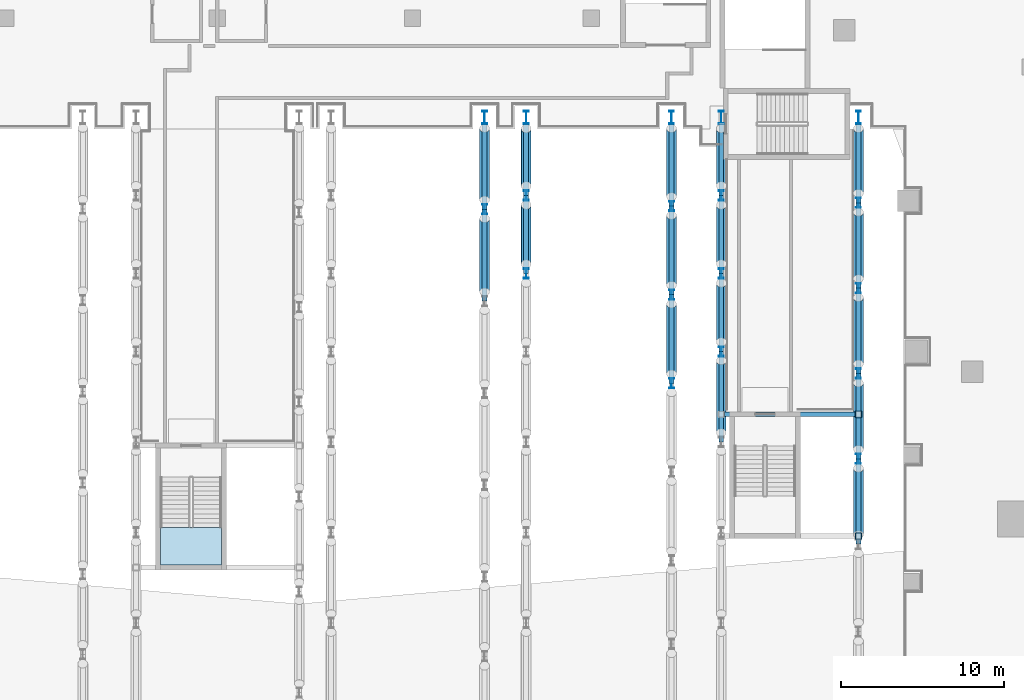
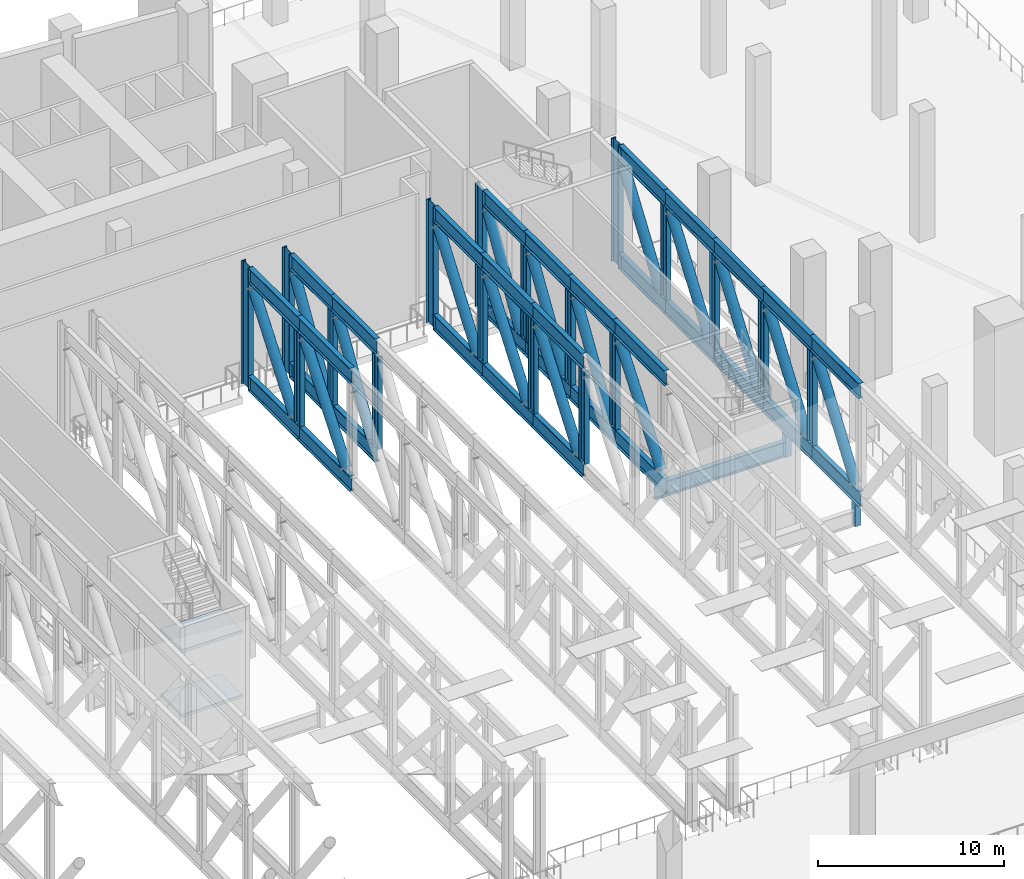
# One storey, part 6 of 33: 68 members, 2 slabs, 1 beam, 1 element without a shape of its own.
"""IFC4 building model written with IfcOpenShell, lengths in metres."""

from ifc_helpers import new_model, si_unit, direction, frame, origin, origin_2d, place, context, subcontext, project, spatial, polyline, hollow_rectangle, hollow_circle, i_section, outline, extrude, material, layer, layer_set, material_profile, profile_set, type_object, element, aggregate, save


model = new_model("IFC4")

# Units and contexts
model_context = context("Model", 3, precision=1e-05, world=origin(), true_north=direction((0.0, 1.0)))
body_context = subcontext(model_context, "Body", "Model", "MODEL_VIEW")
ifc_project = project(units=[si_unit("LENGTHUNIT", "METRE"), si_unit("AREAUNIT", "SQUARE_METRE"), si_unit("VOLUMEUNIT", "CUBIC_METRE"), si_unit("PLANEANGLEUNIT", "RADIAN"), si_unit("MASSUNIT", "GRAM", prefix="KILO")], contexts=[model_context])

# Site, building, storey
site_placement = place(None, origin())
site = spatial("IfcSite", under=ifc_project, at=site_placement, CompositionType="ELEMENT")
building_placement = place(site_placement, origin())
building = spatial("IfcBuilding", under=site, at=building_placement, Name="Wharfspan Tower", CompositionType="ELEMENT")
storey_placement = place(building_placement, frame((0.0, 0.0, 33.0)))
storey = spatial("IfcBuildingStorey", under=building, at=storey_placement, Name="L05", CompositionType="ELEMENT", Elevation=33.0)

# Beam
ifc_material_1 = material(Name="Steel S460M", Category="steel")
ifc_material_profile_1 = material_profile(ifc_material_1, i_section(OverallWidth=0.302002, OverallDepth=1.008057, WebThickness=0.020996, FlangeThickness=0.040039, FilletRadius=0.030029, at=origin_2d()))
ifc_profile_set_1 = profile_set([ifc_material_profile_1], Name="Steel S460M")
beam_type = type_object("IfcBeamType", Name="Transfer girder HE 1000 M", PredefinedType="BEAM", material=ifc_profile_set_1)
beam_placement = place(storey_placement, frame((72.199951, 7.64209, -0.954102), z_axis=(1.0, 0.0, 0.0), x_axis=(0.0, 1.0, 0.0)))
element("IfcBeam", 1, at=beam_placement, inside=storey, type_object=beam_type, Name="Transfer girder", PredefinedType="BEAM", context=body_context, shape_type="SweptSolid", body=[
    extrude(i_section(OverallWidth=0.302002, OverallDepth=1.008057, WebThickness=0.020996, FlangeThickness=0.040039, FilletRadius=0.030029, at=origin_2d()), origin(), (0.0, 0.0, 1.0), 8.041992),
])

# Members
ifc_material_2 = material(Name="Steel S460NH", Category="steel")
ifc_material_profile_2 = material_profile(ifc_material_2, hollow_rectangle(XDim=0.399902, YDim=0.399902, WallThickness=0.02002, InnerFilletRadius=0.02002, OuterFilletRadius=0.040039, at=origin_2d()))
ifc_profile_set_2 = profile_set([ifc_material_profile_2], Name="Steel S460NH")
member_type_1 = type_object("IfcMemberType", Name="Transfer hanger SHS 400x400x20", PredefinedType="POST", material=ifc_profile_set_2)
for number, where, z_axis, x_axis, name in (
    (2, (80.441895, 0.14209, -1.458008), (0.0, 0.0, 1.0), (1.0, 0.0, 0.0), "Transfer hanger"),
    (3, (80.441895, 7.64209, -1.458008), (0.0, 0.0, 1.0), (1.0, 0.0, 0.0), "Transfer hanger"),
):
    element("IfcMember", number, at=place(storey_placement, frame(where, z_axis=z_axis, x_axis=x_axis)), inside=storey, type_object=member_type_1, Name=name, PredefinedType="POST", context=body_context, shape_type="SweptSolid", body=[
        extrude(hollow_rectangle(XDim=0.399902, YDim=0.399902, WallThickness=0.02002, InnerFilletRadius=0.02002, OuterFilletRadius=0.040039, at=origin_2d()), origin(), (0.0, 0.0, 1.0), 1.458008),
    ])
ifc_material_profile_3 = material_profile(ifc_material_2, hollow_circle(Radius=0.304932, WallThickness=0.030029, at=origin_2d()))
ifc_profile_set_3 = profile_set([ifc_material_profile_3], Name="Steel S460NH")
member_type_2 = type_object("IfcMemberType", Name="Truss member CHS 610x30", PredefinedType="BRACE", material=ifc_profile_set_3)
member_1_placement = place(storey_placement, frame((57.441895, 19.671875, 6.910156), z_axis=(0.0, -0.618256, -0.785977), x_axis=(1.0, 0.0, 0.0)))
element("IfcMember", 4, at=member_1_placement, inside=storey, type_object=member_type_2, Name="Truss diagonal T8", PredefinedType="BRACE", context=body_context, shape_type="SweptSolid", body=[
    extrude(hollow_circle(Radius=0.304932, WallThickness=0.030029, at=origin_2d()), origin(), (0.0, 0.0, 1.0), 7.278076),
])
member_2_placement = place(storey_placement, frame((57.441895, 25.225098, 6.912842), z_axis=(0.0, -0.609248, -0.79298), x_axis=(1.0, 0.0, 0.0)))
element("IfcMember", 5, at=member_2_placement, inside=storey, type_object=member_type_2, Name="Truss diagonal T8", PredefinedType="BRACE", context=body_context, shape_type="SweptSolid", body=[
    extrude(hollow_circle(Radius=0.304932, WallThickness=0.030029, at=origin_2d()), origin(), (0.0, 0.0, 1.0), 7.220703),
])
member_3_placement = place(storey_placement, frame((60.0, 20.507568, 6.935791), z_axis=(0.0, -0.530824, -0.847482), x_axis=(1.0, 0.0, 0.0)))
element("IfcMember", 6, at=member_3_placement, inside=storey, type_object=member_type_2, Name="Truss diagonal T9", PredefinedType="BRACE", context=body_context, shape_type="SweptSolid", body=[
    extrude(hollow_circle(Radius=0.304932, WallThickness=0.030029, at=origin_2d()), origin(), (0.0, 0.0, 1.0), 6.810059),
])
member_4_placement = place(storey_placement, frame((60.0, 25.208496, 6.938965), z_axis=(0.0, -0.519631, -0.854391), x_axis=(1.0, 0.0, 0.0)))
element("IfcMember", 7, at=member_4_placement, inside=storey, type_object=member_type_2, Name="Truss diagonal T9", PredefinedType="BRACE", context=body_context, shape_type="SweptSolid", body=[
    extrude(hollow_circle(Radius=0.304932, WallThickness=0.030029, at=origin_2d()), origin(), (0.0, 0.0, 1.0), 6.762695),
])
for number, where, z_axis, x_axis, name in (
    (8, (68.941895, 14.417969, 6.915771), (0.0, -0.599307, -0.800519), (1.0, 0.0, 0.0), "Truss diagonal T10"),
    (9, (68.941895, 19.868896, 6.915771), (0.0, -0.599285, -0.800536), (1.0, 0.0, 0.0), "Truss diagonal T10"),
):
    element("IfcMember", number, at=place(storey_placement, frame(where, z_axis=z_axis, x_axis=x_axis)), inside=storey, type_object=member_type_2, Name=name, PredefinedType="BRACE", context=body_context, shape_type="SweptSolid", body=[
        extrude(hollow_circle(Radius=0.304932, WallThickness=0.030029, at=origin_2d()), origin(), (0.0, 0.0, 1.0), 7.159912),
    ])
member_5_placement = place(storey_placement, frame((68.941895, 25.221191, 6.918701), z_axis=(0.0, -0.589813, -0.80754), x_axis=(1.0, 0.0, 0.0)))
element("IfcMember", 10, at=member_5_placement, inside=storey, type_object=member_type_2, Name="Truss diagonal T10", PredefinedType="BRACE", context=body_context, shape_type="SweptSolid", body=[
    extrude(hollow_circle(Radius=0.304932, WallThickness=0.030029, at=origin_2d()), origin(), (0.0, 0.0, 1.0), 7.104736),
])
member_6_placement = place(storey_placement, frame((72.0, 10.922119, 6.912598), z_axis=(0.0, -0.610359, -0.792125), x_axis=(1.0, 0.0, 0.0)))
element("IfcMember", 11, at=member_6_placement, inside=storey, type_object=member_type_2, Name="Truss diagonal T11", PredefinedType="BRACE", context=body_context, shape_type="SweptSolid", body=[
    extrude(hollow_circle(Radius=0.304932, WallThickness=0.030029, at=origin_2d()), origin(), (0.0, 0.0, 1.0), 7.227539),
])
for number, where, z_axis, x_axis, name in (
    (12, (72.0, 15.70752, 6.935791), (0.0, -0.530824, -0.847482), (1.0, 0.0, 0.0), "Truss diagonal T11"),
    (13, (72.0, 20.507568, 6.935791), (0.0, -0.530824, -0.847482), (1.0, 0.0, 0.0), "Truss diagonal T11"),
):
    element("IfcMember", number, at=place(storey_placement, frame(where, z_axis=z_axis, x_axis=x_axis)), inside=storey, type_object=member_type_2, Name=name, PredefinedType="BRACE", context=body_context, shape_type="SweptSolid", body=[
        extrude(hollow_circle(Radius=0.304932, WallThickness=0.030029, at=origin_2d()), origin(), (0.0, 0.0, 1.0), 6.810059),
    ])
member_7_placement = place(storey_placement, frame((72.0, 25.208496, 6.938965), z_axis=(0.0, -0.519631, -0.854391), x_axis=(1.0, 0.0, 0.0)))
element("IfcMember", 14, at=member_7_placement, inside=storey, type_object=member_type_2, Name="Truss diagonal T11", PredefinedType="BRACE", context=body_context, shape_type="SweptSolid", body=[
    extrude(hollow_circle(Radius=0.304932, WallThickness=0.030029, at=origin_2d()), origin(), (0.0, 0.0, 1.0), 6.762695),
])
for number, where, z_axis, x_axis, name in (
    (15, (80.441895, 4.317139, 6.921631), (0.0, -0.579342, -0.815084), (1.0, 0.0, 0.0), "Truss diagonal T12"),
    (16, (80.441895, 9.567139, 6.921631), (0.0, -0.579342, -0.815084), (1.0, 0.0, 0.0), "Truss diagonal T12"),
):
    element("IfcMember", number, at=place(storey_placement, frame(where, z_axis=z_axis, x_axis=x_axis)), inside=storey, type_object=member_type_2, Name=name, PredefinedType="BRACE", context=body_context, shape_type="SweptSolid", body=[
        extrude(hollow_circle(Radius=0.304932, WallThickness=0.030029, at=origin_2d()), origin(), (0.0, 0.0, 1.0), 7.046387),
    ])
member_8_placement = place(storey_placement, frame((80.441895, 14.816162, 6.921631), z_axis=(0.0, -0.57925, -0.81515), x_axis=(1.0, 0.0, 0.0)))
element("IfcMember", 17, at=member_8_placement, inside=storey, type_object=member_type_2, Name="Truss diagonal T12", PredefinedType="BRACE", context=body_context, shape_type="SweptSolid", body=[
    extrude(hollow_circle(Radius=0.304932, WallThickness=0.030029, at=origin_2d()), origin(), (0.0, 0.0, 1.0), 7.045898),
])
member_9_placement = place(storey_placement, frame((80.441895, 20.066162, 6.921631), z_axis=(0.0, -0.579342, -0.815084), x_axis=(1.0, 0.0, 0.0)))
element("IfcMember", 18, at=member_9_placement, inside=storey, type_object=member_type_2, Name="Truss diagonal T12", PredefinedType="BRACE", context=body_context, shape_type="SweptSolid", body=[
    extrude(hollow_circle(Radius=0.304932, WallThickness=0.030029, at=origin_2d()), origin(), (0.0, 0.0, 1.0), 7.046387),
])
member_10_placement = place(storey_placement, frame((80.441895, 25.217285, 6.924561), z_axis=(0.0, -0.569324, -0.822113), x_axis=(1.0, 0.0, 0.0)))
element("IfcMember", 19, at=member_10_placement, inside=storey, type_object=member_type_2, Name="Truss diagonal T12", PredefinedType="BRACE", context=body_context, shape_type="SweptSolid", body=[
    extrude(hollow_circle(Radius=0.304932, WallThickness=0.030029, at=origin_2d()), origin(), (0.0, 0.0, 1.0), 6.993164),
])
ifc_material_profile_4 = material_profile(ifc_material_1, i_section(OverallWidth=0.302002, OverallDepth=1.008057, WebThickness=0.020996, FlangeThickness=0.040039, FilletRadius=0.030029, at=origin_2d()))
ifc_profile_set_4 = profile_set([ifc_material_profile_4], Name="Steel S460M")
member_type_3 = type_object("IfcMemberType", Name="Truss member HE 1000 M", PredefinedType="CHORD", material=ifc_profile_set_4)
for number, where, z_axis, x_axis, name in (
    (20, (57.441895, 14.595947, 7.595947), (0.0, 1.0, 0.0), (-1.0, 0.0, 0.0), "Top chord T8"),
    (21, (57.441895, 14.595947, 0.503906), (0.0, 1.0, 0.0), (-1.0, 0.0, 0.0), "Bottom chord T8"),
):
    element("IfcMember", number, at=place(storey_placement, frame(where, z_axis=z_axis, x_axis=x_axis)), inside=storey, type_object=member_type_3, Name=name, PredefinedType="CHORD", context=body_context, shape_type="SweptSolid", body=[
        extrude(i_section(OverallWidth=0.302002, OverallDepth=1.008057, WebThickness=0.020996, FlangeThickness=0.040039, FilletRadius=0.030029, at=origin_2d()), origin(), (0.0, 0.0, 1.0), 5.6521),
    ])
for number, where, z_axis, x_axis, name in (
    (22, (57.441895, 20.248047, 7.595947), (0.0, 1.0, 0.0), (-1.0, 0.0, 0.0), "Top chord T8"),
    (23, (57.441895, 20.248047, 0.503906), (0.0, 1.0, 0.0), (-1.0, 0.0, 0.0), "Bottom chord T8"),
):
    element("IfcMember", number, at=place(storey_placement, frame(where, z_axis=z_axis, x_axis=x_axis)), inside=storey, type_object=member_type_3, Name=name, PredefinedType="CHORD", context=body_context, shape_type="SweptSolid", body=[
        extrude(i_section(OverallWidth=0.302002, OverallDepth=1.008057, WebThickness=0.020996, FlangeThickness=0.040039, FilletRadius=0.030029, at=origin_2d()), origin(), (0.0, 0.0, 1.0), 5.244873),
    ])
for number, where, z_axis, x_axis, name in (
    (24, (60.0, 16.300049, 7.595947), (0.0, 1.0, 0.0), (-1.0, 0.0, 0.0), "Top chord T9"),
    (25, (60.0, 16.300049, 0.503906), (0.0, 1.0, 0.0), (-1.0, 0.0, 0.0), "Bottom chord T9"),
):
    element("IfcMember", number, at=place(storey_placement, frame(where, z_axis=z_axis, x_axis=x_axis)), inside=storey, type_object=member_type_3, Name=name, PredefinedType="CHORD", context=body_context, shape_type="SweptSolid", body=[
        extrude(i_section(OverallWidth=0.302002, OverallDepth=1.008057, WebThickness=0.020996, FlangeThickness=0.040039, FilletRadius=0.030029, at=origin_2d()), origin(), (0.0, 0.0, 1.0), 4.800049),
    ])
for number, where, z_axis, x_axis, name in (
    (26, (60.0, 21.100098, 7.595947), (0.0, 1.0, 0.0), (-1.0, 0.0, 0.0), "Top chord T9"),
    (27, (60.0, 21.100098, 0.503906), (0.0, 1.0, 0.0), (-1.0, 0.0, 0.0), "Bottom chord T9"),
):
    element("IfcMember", number, at=place(storey_placement, frame(where, z_axis=z_axis, x_axis=x_axis)), inside=storey, type_object=member_type_3, Name=name, PredefinedType="CHORD", context=body_context, shape_type="SweptSolid", body=[
        extrude(i_section(OverallWidth=0.302002, OverallDepth=1.008057, WebThickness=0.020996, FlangeThickness=0.040039, FilletRadius=0.030029, at=origin_2d()), origin(), (0.0, 0.0, 1.0), 4.392822),
    ])
for number, where, z_axis, x_axis, name in (
    (28, (68.941895, 9.547119, 7.595947), (0.0, 1.0, 0.0), (-1.0, 0.0, 0.0), "Top chord T10"),
    (29, (68.941895, 9.547119, 0.503906), (0.0, 1.0, 0.0), (-1.0, 0.0, 0.0), "Bottom chord T10"),
    (30, (68.941895, 14.998047, 7.595947), (0.0, 1.0, 0.0), (-1.0, 0.0, 0.0), "Top chord T10"),
    (31, (68.941895, 14.998047, 0.503906), (0.0, 1.0, 0.0), (-1.0, 0.0, 0.0), "Bottom chord T10"),
):
    element("IfcMember", number, at=place(storey_placement, frame(where, z_axis=z_axis, x_axis=x_axis)), inside=storey, type_object=member_type_3, Name=name, PredefinedType="CHORD", context=body_context, shape_type="SweptSolid", body=[
        extrude(i_section(OverallWidth=0.302002, OverallDepth=1.008057, WebThickness=0.020996, FlangeThickness=0.040039, FilletRadius=0.030029, at=origin_2d()), origin(), (0.0, 0.0, 1.0), 5.450928),
    ])
for number, where, z_axis, x_axis, name in (
    (32, (68.941895, 20.448975, 7.595947), (0.0, 1.0, 0.0), (-1.0, 0.0, 0.0), "Top chord T10"),
    (33, (68.941895, 20.448975, 0.503906), (0.0, 1.0, 0.0), (-1.0, 0.0, 0.0), "Bottom chord T10"),
):
    element("IfcMember", number, at=place(storey_placement, frame(where, z_axis=z_axis, x_axis=x_axis)), inside=storey, type_object=member_type_3, Name=name, PredefinedType="CHORD", context=body_context, shape_type="SweptSolid", body=[
        extrude(i_section(OverallWidth=0.302002, OverallDepth=1.008057, WebThickness=0.020996, FlangeThickness=0.040039, FilletRadius=0.030029, at=origin_2d()), origin(), (0.0, 0.0, 1.0), 5.043945),
    ])
for number, where, z_axis, x_axis, name in (
    (34, (72.0, 5.933105, 7.595947), (0.0, 1.0, 0.0), (-1.0, 0.0, 0.0), "Top chord T11"),
    (35, (72.0, 5.933105, 0.503906), (0.0, 1.0, 0.0), (-1.0, 0.0, 0.0), "Bottom chord T11"),
):
    element("IfcMember", number, at=place(storey_placement, frame(where, z_axis=z_axis, x_axis=x_axis)), inside=storey, type_object=member_type_3, Name=name, PredefinedType="CHORD", context=body_context, shape_type="SweptSolid", body=[
        extrude(i_section(OverallWidth=0.302002, OverallDepth=1.008057, WebThickness=0.020996, FlangeThickness=0.040039, FilletRadius=0.030029, at=origin_2d()), origin(), (0.0, 0.0, 1.0), 5.566895),
    ])
for number, where, z_axis, x_axis, name in (
    (36, (72.0, 11.5, 7.595947), (0.0, 1.0, 0.0), (-1.0, 0.0, 0.0), "Top chord T11"),
    (37, (72.0, 11.5, 0.503906), (0.0, 1.0, 0.0), (-1.0, 0.0, 0.0), "Bottom chord T11"),
    (38, (72.0, 16.300049, 7.595947), (0.0, 1.0, 0.0), (-1.0, 0.0, 0.0), "Top chord T11"),
    (39, (72.0, 16.300049, 0.503906), (0.0, 1.0, 0.0), (-1.0, 0.0, 0.0), "Bottom chord T11"),
):
    element("IfcMember", number, at=place(storey_placement, frame(where, z_axis=z_axis, x_axis=x_axis)), inside=storey, type_object=member_type_3, Name=name, PredefinedType="CHORD", context=body_context, shape_type="SweptSolid", body=[
        extrude(i_section(OverallWidth=0.302002, OverallDepth=1.008057, WebThickness=0.020996, FlangeThickness=0.040039, FilletRadius=0.030029, at=origin_2d()), origin(), (0.0, 0.0, 1.0), 4.800049),
    ])
for number, where, z_axis, x_axis, name in (
    (40, (72.0, 21.100098, 7.595947), (0.0, 1.0, 0.0), (-1.0, 0.0, 0.0), "Top chord T11"),
    (41, (72.0, 21.100098, 0.503906), (0.0, 1.0, 0.0), (-1.0, 0.0, 0.0), "Bottom chord T11"),
):
    element("IfcMember", number, at=place(storey_placement, frame(where, z_axis=z_axis, x_axis=x_axis)), inside=storey, type_object=member_type_3, Name=name, PredefinedType="CHORD", context=body_context, shape_type="SweptSolid", body=[
        extrude(i_section(OverallWidth=0.302002, OverallDepth=1.008057, WebThickness=0.020996, FlangeThickness=0.040039, FilletRadius=0.030029, at=origin_2d()), origin(), (0.0, 0.0, 1.0), 4.392822),
    ])
for number, where, z_axis, x_axis, name in (
    (42, (80.441895, -0.349121, 7.595947), (0.0, 1.0, 0.0), (-1.0, 0.0, 0.0), "Top chord T12"),
    (43, (80.441895, -0.349121, 0.503906), (0.0, 1.0, 0.0), (-1.0, 0.0, 0.0), "Bottom chord T12"),
    (44, (80.441895, 4.900879, 7.595947), (0.0, 1.0, 0.0), (-1.0, 0.0, 0.0), "Top chord T12"),
    (45, (80.441895, 4.900879, 0.503906), (0.0, 1.0, 0.0), (-1.0, 0.0, 0.0), "Bottom chord T12"),
):
    element("IfcMember", number, at=place(storey_placement, frame(where, z_axis=z_axis, x_axis=x_axis)), inside=storey, type_object=member_type_3, Name=name, PredefinedType="CHORD", context=body_context, shape_type="SweptSolid", body=[
        extrude(i_section(OverallWidth=0.302002, OverallDepth=1.008057, WebThickness=0.020996, FlangeThickness=0.040039, FilletRadius=0.030029, at=origin_2d()), origin(), (0.0, 0.0, 1.0), 5.25),
    ])
for number, where, z_axis, x_axis, name in (
    (46, (80.441895, 10.150879, 7.595947), (0.0, 1.0, 0.0), (-1.0, 0.0, 0.0), "Top chord T12"),
    (47, (80.441895, 10.150879, 0.503906), (0.0, 1.0, 0.0), (-1.0, 0.0, 0.0), "Bottom chord T12"),
):
    element("IfcMember", number, at=place(storey_placement, frame(where, z_axis=z_axis, x_axis=x_axis)), inside=storey, type_object=member_type_3, Name=name, PredefinedType="CHORD", context=body_context, shape_type="SweptSolid", body=[
        extrude(i_section(OverallWidth=0.302002, OverallDepth=1.008057, WebThickness=0.020996, FlangeThickness=0.040039, FilletRadius=0.030029, at=origin_2d()), origin(), (0.0, 0.0, 1.0), 5.249023),
    ])
for number, where, z_axis, x_axis, name in (
    (48, (80.441895, 15.399902, 7.595947), (0.0, 1.0, 0.0), (-1.0, 0.0, 0.0), "Top chord T12"),
    (49, (80.441895, 15.399902, 0.503906), (0.0, 1.0, 0.0), (-1.0, 0.0, 0.0), "Bottom chord T12"),
):
    element("IfcMember", number, at=place(storey_placement, frame(where, z_axis=z_axis, x_axis=x_axis)), inside=storey, type_object=member_type_3, Name=name, PredefinedType="CHORD", context=body_context, shape_type="SweptSolid", body=[
        extrude(i_section(OverallWidth=0.302002, OverallDepth=1.008057, WebThickness=0.020996, FlangeThickness=0.040039, FilletRadius=0.030029, at=origin_2d()), origin(), (0.0, 0.0, 1.0), 5.25),
    ])
for number, where, z_axis, x_axis, name in (
    (50, (80.441895, 20.649902, 7.595947), (0.0, 1.0, 0.0), (-1.0, 0.0, 0.0), "Top chord T12"),
    (51, (80.441895, 20.649902, 0.503906), (0.0, 1.0, 0.0), (-1.0, 0.0, 0.0), "Bottom chord T12"),
):
    element("IfcMember", number, at=place(storey_placement, frame(where, z_axis=z_axis, x_axis=x_axis)), inside=storey, type_object=member_type_3, Name=name, PredefinedType="CHORD", context=body_context, shape_type="SweptSolid", body=[
        extrude(i_section(OverallWidth=0.302002, OverallDepth=1.008057, WebThickness=0.020996, FlangeThickness=0.040039, FilletRadius=0.030029, at=origin_2d()), origin(), (0.0, 0.0, 1.0), 4.843018),
    ])
ifc_material_profile_5 = material_profile(ifc_material_1, i_section(OverallWidth=0.304932, OverallDepth=0.620117, WebThickness=0.020996, FlangeThickness=0.040039, FilletRadius=0.0271, at=origin_2d()))
ifc_profile_set_5 = profile_set([ifc_material_profile_5], Name="Steel S460M")
member_type_4 = type_object("IfcMemberType", Name="Truss member HE 600 M", PredefinedType="CHORD", material=ifc_profile_set_5)
for number, where, z_axis, x_axis, name in (
    (52, (57.441895, 20.248047, 1.008057), (0.0, 0.0, 1.0), (1.0, 0.0, 0.0), "Truss post T8"),
    (53, (60.0, 16.300049, 1.008057), (0.0, 0.0, 1.0), (1.0, 0.0, 0.0), "Truss post T9"),
    (54, (60.0, 21.100098, 1.008057), (0.0, 0.0, 1.0), (1.0, 0.0, 0.0), "Truss post T9"),
    (55, (68.941895, 9.547119, 1.008057), (0.0, 0.0, 1.0), (1.0, 0.0, 0.0), "Truss post T10"),
    (56, (68.941895, 14.998047, 1.008057), (0.0, 0.0, 1.0), (1.0, 0.0, 0.0), "Truss post T10"),
    (57, (68.941895, 20.448975, 1.008057), (0.0, 0.0, 1.0), (1.0, 0.0, 0.0), "Truss post T10"),
    (58, (72.0, 11.5, 1.008057), (0.0, 0.0, 1.0), (1.0, 0.0, 0.0), "Truss post T11"),
    (59, (72.0, 16.300049, 1.008057), (0.0, 0.0, 1.0), (1.0, 0.0, 0.0), "Truss post T11"),
    (60, (72.0, 21.100098, 1.008057), (0.0, 0.0, 1.0), (1.0, 0.0, 0.0), "Truss post T11"),
    (61, (80.441895, 4.900879, 1.008057), (0.0, 0.0, 1.0), (1.0, 0.0, 0.0), "Truss post T12"),
    (62, (80.441895, 10.150879, 1.008057), (0.0, 0.0, 1.0), (1.0, 0.0, 0.0), "Truss post T12"),
    (63, (80.441895, 15.399902, 1.008057), (0.0, 0.0, 1.0), (1.0, 0.0, 0.0), "Truss post T12"),
    (64, (80.441895, 20.649902, 1.008057), (0.0, 0.0, 1.0), (1.0, 0.0, 0.0), "Truss post T12"),
):
    element("IfcMember", number, at=place(storey_placement, frame(where, z_axis=z_axis, x_axis=x_axis)), inside=storey, type_object=member_type_4, Name=name, PredefinedType="CHORD", context=body_context, shape_type="SweptSolid", body=[
        extrude(i_section(OverallWidth=0.304932, OverallDepth=0.620117, WebThickness=0.020996, FlangeThickness=0.040039, FilletRadius=0.0271, at=origin_2d()), origin(), (0.0, 0.0, 1.0), 6.083984),
    ])
ifc_material_profile_6 = material_profile(ifc_material_1, i_section(OverallWidth=0.302979, OverallDepth=0.813965, WebThickness=0.020996, FlangeThickness=0.040039, FilletRadius=0.030029, at=origin_2d()))
ifc_profile_set_6 = profile_set([ifc_material_profile_6], Name="Steel S460M")
member_type_5 = type_object("IfcMemberType", Name="Truss member HE 800 M", PredefinedType="CHORD", material=ifc_profile_set_6)
for number, where, z_axis, x_axis, name in (
    (65, (57.441895, 25.899902, 0.0), (0.0, 0.0, 1.0), (1.0, 0.0, 0.0), "Truss post T8"),
    (66, (60.0, 25.899902, 0.0), (0.0, 0.0, 1.0), (1.0, 0.0, 0.0), "Truss post T9"),
    (67, (68.941895, 25.899902, 0.0), (0.0, 0.0, 1.0), (1.0, 0.0, 0.0), "Truss post T10"),
    (68, (72.0, 25.899902, 0.0), (0.0, 0.0, 1.0), (1.0, 0.0, 0.0), "Truss post T11"),
    (69, (80.441895, 25.899902, 0.0), (0.0, 0.0, 1.0), (1.0, 0.0, 0.0), "Truss post T12"),
):
    element("IfcMember", number, at=place(storey_placement, frame(where, z_axis=z_axis, x_axis=x_axis)), inside=storey, type_object=member_type_5, Name=name, PredefinedType="CHORD", context=body_context, shape_type="SweptSolid", body=[
        extrude(i_section(OverallWidth=0.302979, OverallDepth=0.813965, WebThickness=0.020996, FlangeThickness=0.040039, FilletRadius=0.030029, at=origin_2d()), origin(), (0.0, 0.0, 1.0), 8.100098),
    ])

# Stair, slabs
ifc_material_3 = material(Name="Concrete C40/50", Category="concrete")
stair_type = type_object("IfcStairType", Name="Half-turn stair 48 risers 177 mm", PredefinedType="HALF_TURN_STAIR", material=ifc_material_3)
stair_placement = place(storey_placement, origin())
stair = element("IfcStair", 70, at=stair_placement, inside=storey, type_object=stair_type, Name="L05 stair ST4", PredefinedType="HALF_TURN_STAIR")
ifc_layer = layer(ifc_material_3, 0.199951)
ifc_layer_set = layer_set([ifc_layer], Name="Concrete C40/50")
slab_type = type_object("IfcSlabType", Name="Stair landing 200", PredefinedType="LANDING", material=ifc_layer_set)
slab_1_placement = place(storey_placement, frame((0.0, 0.0, 1.924805)))
slab_1 = element("IfcSlab", 71, at=slab_1_placement, type_object=slab_type, Name="ST4 landing 1", PredefinedType="LANDING", context=body_context, shape_type="SweptSolid", body=[
    extrude(outline(polyline([(37.508301, 0.680664), (37.508301, -1.639404), (41.258301, -1.639404), (41.258301, 0.680664), (37.508301, 0.680664)])), origin(), (0.0, 0.0, 1.0), 0.200195),
])
slab_2_placement = place(storey_placement, frame((0.0, 0.0, 6.174805)))
slab_2 = element("IfcSlab", 72, at=slab_2_placement, type_object=slab_type, Name="ST4 landing 3", PredefinedType="LANDING", context=body_context, shape_type="SweptSolid", body=[
    extrude(outline(polyline([(37.508301, 0.680664), (37.508301, -1.639404), (41.258301, -1.639404), (41.258301, 0.680664), (37.508301, 0.680664)])), origin(), (0.0, 0.0, 1.0), 0.200195),
])
aggregate(stair, [slab_1, slab_2])

save(model, "model.ifc")
